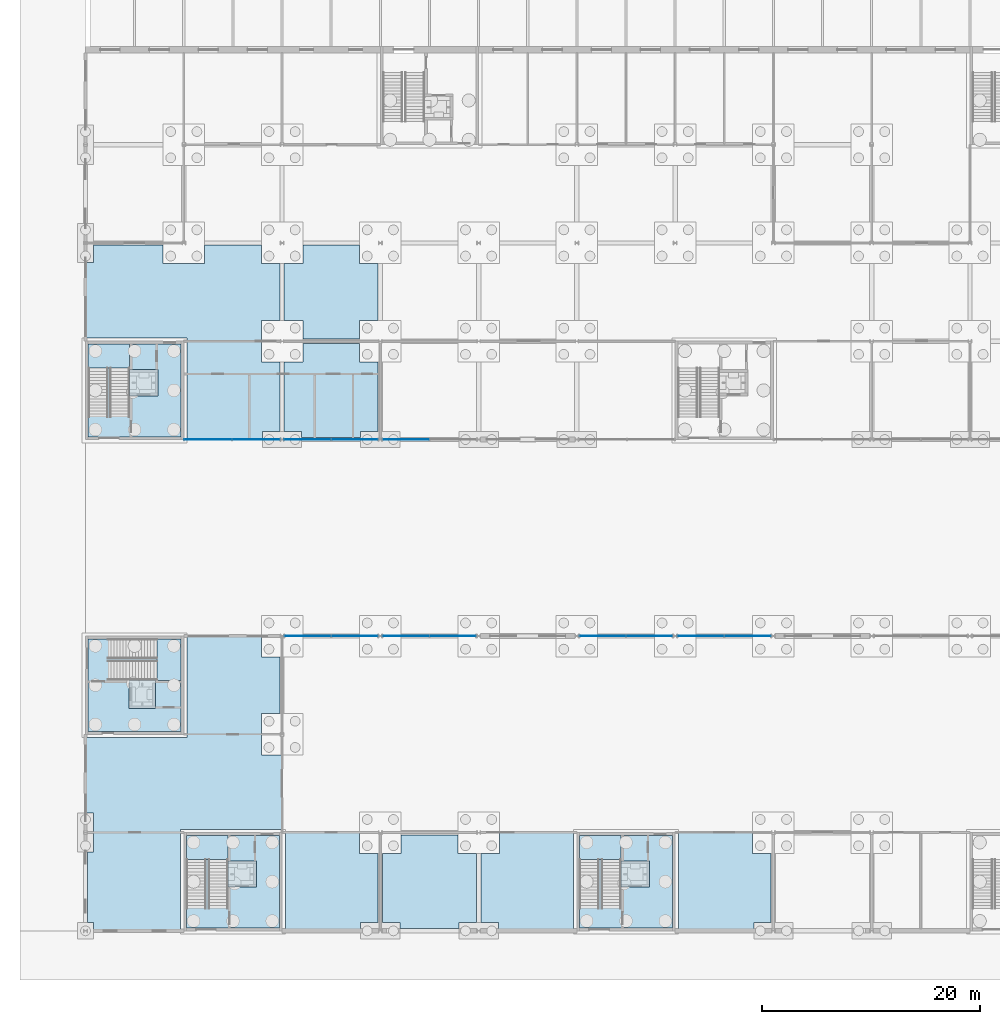
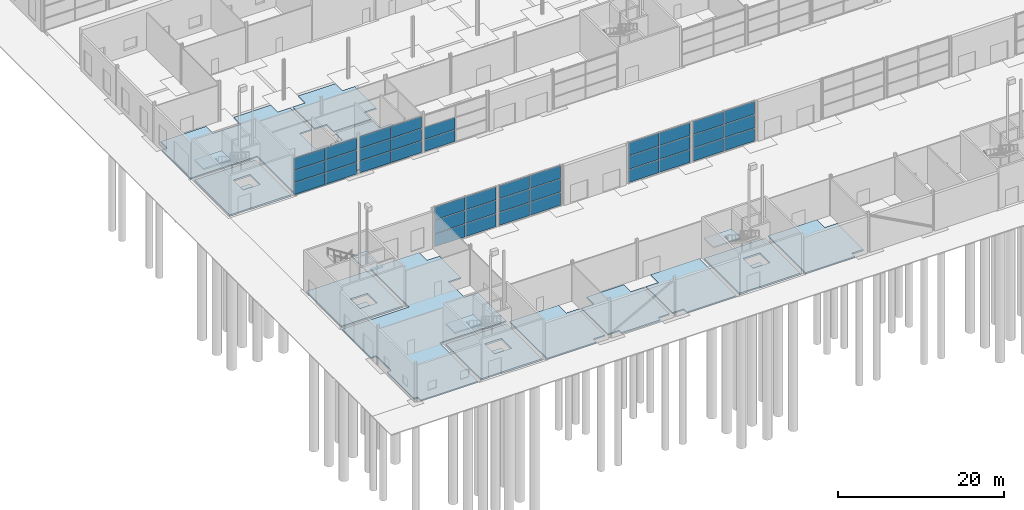
# One storey, part 53 of 97: 38 plates, 20 slabs, 11 elements without a shape of their own.
"""IFC4 building model written with IfcOpenShell, lengths in metres."""

from ifc_helpers import new_model, si_unit, direction, frame, origin, origin_2d, place, context, subcontext, project, spatial, polyline, rectangle, outline, extrude, material, layer, layer_set, type_object, element, aggregate, save


model = new_model("IFC4")

# Units and contexts
model_context = context("Model", 3, precision=1e-05, world=origin(), true_north=direction((0.0, 1.0)))
body_context = subcontext(model_context, "Body", "Model", "MODEL_VIEW")
ifc_project = project(units=[si_unit("LENGTHUNIT", "METRE"), si_unit("AREAUNIT", "SQUARE_METRE"), si_unit("VOLUMEUNIT", "CUBIC_METRE"), si_unit("PLANEANGLEUNIT", "RADIAN"), si_unit("MASSUNIT", "GRAM", prefix="KILO")], contexts=[model_context])

# Site, building, storey
site_placement = place(None, origin())
site = spatial("IfcSite", under=ifc_project, at=site_placement, CompositionType="ELEMENT")
building_placement = place(site_placement, origin())
building = spatial("IfcBuilding", under=site, at=building_placement, Name="Corbel Yard City Hall", CompositionType="ELEMENT")
storey_placement = place(building_placement, origin())
storey = spatial("IfcBuildingStorey", under=building, at=storey_placement, Name="L00", CompositionType="ELEMENT", Elevation=0.0)

# Slabs
ifc_material_1 = material(Name="Concrete N40 (40 MPa)", Category="concrete")
ifc_layer_1 = layer(ifc_material_1, 0.25)
ifc_layer_set_1 = layer_set([ifc_layer_1], Name="Concrete N40 (40 MPa)")
slab_type_1 = type_object("IfcSlabType", Name="CF1", PredefinedType="FLOOR", material=ifc_layer_set_1)
slab_1_placement = place(storey_placement, frame((0.0, 0.0, -0.25)))
element("IfcSlab", 1, at=slab_1_placement, inside=storey, type_object=slab_type_1, Name="Core floor slab", PredefinedType="FLOOR", context=body_context, shape_type="SweptSolid", body=[
    extrude(outline(polyline([(9.25, 0.25), (17.75, 0.25), (17.75, 8.75), (9.25, 8.75), (9.25, 0.25)]), holes=[polyline([(15.64990234375, 6.39990234375), (13.300048828125, 6.39990234375), (13.300048828125, 4.0), (15.64990234375, 4.0), (15.64990234375, 6.39990234375)])]), origin(), (0.0, 0.0, 1.0), 0.25),
])
slab_2_placement = place(storey_placement, frame((0.0, 0.0, -0.25)))
element("IfcSlab", 2, at=slab_2_placement, inside=storey, type_object=slab_type_1, Name="Core floor slab", PredefinedType="FLOOR", context=body_context, shape_type="SweptSolid", body=[
    extrude(outline(polyline([(45.25, 0.25), (53.75, 0.25), (53.75, 8.75), (45.25, 8.75), (45.25, 0.25)]), holes=[polyline([(51.64990234375, 6.39990234375), (49.300048828125, 6.39990234375), (49.300048828125, 4.0), (51.64990234375, 4.0), (51.64990234375, 6.39990234375)])]), origin(), (0.0, 0.0, 1.0), 0.25),
])
slab_3_placement = place(storey_placement, frame((0.0, 0.0, -0.25)))
element("IfcSlab", 3, at=slab_3_placement, inside=storey, type_object=slab_type_1, Name="Core floor slab", PredefinedType="FLOOR", context=body_context, shape_type="SweptSolid", body=[
    extrude(outline(polyline([(0.25, 18.25), (8.75, 18.25), (8.75, 26.75), (0.25, 26.75), (0.25, 18.25)]), holes=[polyline([(6.39990234375, 22.699951171875), (4.0, 22.699951171875), (4.0, 20.35009765625), (6.39990234375, 20.35009765625), (6.39990234375, 22.699951171875)])]), origin(), (0.0, 0.0, 1.0), 0.25),
])
slab_4_placement = place(storey_placement, frame((0.0, 0.0, -0.25)))
element("IfcSlab", 4, at=slab_4_placement, inside=storey, type_object=slab_type_1, Name="Core floor slab", PredefinedType="FLOOR", context=body_context, shape_type="SweptSolid", body=[
    extrude(outline(polyline([(0.25, 45.25), (8.75, 45.25), (8.75, 53.75), (0.25, 53.75), (0.25, 45.25)]), holes=[polyline([(6.64990234375, 51.39990234375), (4.300048828125, 51.39990234375), (4.300048828125, 49.0), (6.64990234375, 49.0), (6.64990234375, 51.39990234375)])]), origin(), (0.0, 0.0, 1.0), 0.25),
])
ifc_layer_2 = layer(ifc_material_1, 0.300048828125)
ifc_layer_set_2 = layer_set([ifc_layer_2], Name="Concrete N40 (40 MPa)")
slab_type_2 = type_object("IfcSlabType", Name="CF2", PredefinedType="BASESLAB", material=ifc_layer_set_2)
slab_5_placement = place(storey_placement, frame((0.0, 0.0, -1.699951171875)))
element("IfcSlab", 5, at=slab_5_placement, inside=storey, type_object=slab_type_2, Name="Lift LP1 pit slab", PredefinedType="BASESLAB", context=body_context, shape_type="SweptSolid", body=[
    extrude(outline(polyline([(13.050048828125, 4.0), (15.64990234375, 4.0), (15.64990234375, 6.39990234375), (13.050048828125, 6.39990234375), (13.050048828125, 4.0)])), origin(), (0.0, 0.0, 1.0), 0.300048828125),
])
slab_6_placement = place(storey_placement, frame((0.0, 0.0, -1.699951171875)))
element("IfcSlab", 6, at=slab_6_placement, inside=storey, type_object=slab_type_2, Name="Lift LP2 pit slab", PredefinedType="BASESLAB", context=body_context, shape_type="SweptSolid", body=[
    extrude(outline(polyline([(49.050048828125, 4.0), (51.64990234375, 4.0), (51.64990234375, 6.39990234375), (49.050048828125, 6.39990234375), (49.050048828125, 4.0)])), origin(), (0.0, 0.0, 1.0), 0.300048828125),
])
slab_7_placement = place(storey_placement, frame((0.0, 0.0, -1.699951171875)))
element("IfcSlab", 7, at=slab_7_placement, inside=storey, type_object=slab_type_2, Name="Lift LP6 pit slab", PredefinedType="BASESLAB", context=body_context, shape_type="SweptSolid", body=[
    extrude(outline(polyline([(4.0, 20.35009765625), (6.39990234375, 20.35009765625), (6.39990234375, 22.949951171875), (4.0, 22.949951171875), (4.0, 20.35009765625)])), origin(), (0.0, 0.0, 1.0), 0.300048828125),
])
slab_8_placement = place(storey_placement, frame((0.0, 0.0, -1.699951171875)))
element("IfcSlab", 8, at=slab_8_placement, inside=storey, type_object=slab_type_2, Name="Lift LP8 pit slab", PredefinedType="BASESLAB", context=body_context, shape_type="SweptSolid", body=[
    extrude(outline(polyline([(4.050048828125, 49.0), (6.64990234375, 49.0), (6.64990234375, 51.39990234375), (4.050048828125, 51.39990234375), (4.050048828125, 49.0)])), origin(), (0.0, 0.0, 1.0), 0.300048828125),
])
ifc_layer_3 = layer(ifc_material_1, 0.199951171875)
ifc_layer_set_3 = layer_set([ifc_layer_3], Name="Concrete N40 (40 MPa)")
slab_type_3 = type_object("IfcSlabType", Name="Ground slab 200", PredefinedType="BASESLAB", material=ifc_layer_set_3)
slab_9_placement = place(storey_placement, frame((0.0, 0.0, -0.199951171875)))
element("IfcSlab", 9, at=slab_9_placement, inside=storey, type_object=slab_type_3, Name="Ground slab on grade Station Link", PredefinedType="BASESLAB", context=body_context, shape_type="SweptSolid", body=[
    extrude(outline(polyline([(9.300048828125, 27.0), (9.300048828125, 17.699951171875), (0.0, 17.699951171875), (0.0, 10.800048828125), (0.75, 10.800048828125), (0.75, 7.199951171875), (0.199951171875, 7.199951171875), (0.199951171875, 0.75), (0.75, 0.75), (0.75, 0.0), (8.699951171875, 0.0), (8.699951171875, 9.300048828125), (18.0, 9.300048828125), (18.0, 16.10009765625), (16.10009765625, 16.10009765625), (16.10009765625, 19.89990234375), (17.800048828125, 19.89990234375), (17.800048828125, 25.10009765625), (16.10009765625, 25.10009765625), (16.10009765625, 27.0), (9.300048828125, 27.0)])), origin(), (0.0, 0.0, 1.0), 0.199951171875),
])
slab_10_placement = place(storey_placement, frame((0.0, 0.0, -0.199951171875)))
element("IfcSlab", 10, at=slab_10_placement, inside=storey, type_object=slab_type_3, Name="Ground slab on grade Hall ribbon", PredefinedType="BASESLAB", context=body_context, shape_type="SweptSolid", body=[
    extrude(outline(polyline([(25.199951171875, 0.0), (25.199951171875, 0.75), (26.800048828125, 0.75), (26.800048828125, 7.10009765625), (25.10009765625, 7.10009765625), (25.10009765625, 9.0), (18.300048828125, 9.0), (18.300048828125, 0.0), (25.199951171875, 0.0)])), origin(), (0.0, 0.0, 1.0), 0.199951171875),
])
slab_11_placement = place(storey_placement, frame((0.0, 0.0, -0.199951171875)))
element("IfcSlab", 11, at=slab_11_placement, inside=storey, type_object=slab_type_3, Name="Ground slab on grade Hall ribbon", PredefinedType="BASESLAB", context=body_context, shape_type="SweptSolid", body=[
    extrude(outline(polyline([(44.699951171875, 0.0), (44.699951171875, 9.0), (37.89990234375, 9.0), (37.89990234375, 7.10009765625), (36.199951171875, 7.10009765625), (36.199951171875, 0.75), (37.800048828125, 0.75), (37.800048828125, 0.0), (44.699951171875, 0.0)])), origin(), (0.0, 0.0, 1.0), 0.199951171875),
])
slab_12_placement = place(storey_placement, frame((0.0, 0.0, -0.199951171875)))
element("IfcSlab", 12, at=slab_12_placement, inside=storey, type_object=slab_type_3, Name="Ground slab on grade Hall ribbon", PredefinedType="BASESLAB", context=body_context, shape_type="SweptSolid", body=[
    extrude(outline(polyline([(62.800048828125, 0.75), (62.800048828125, 7.10009765625), (61.10009765625, 7.10009765625), (61.10009765625, 9.0), (54.300048828125, 9.0), (54.300048828125, 0.0), (61.199951171875, 0.0), (61.199951171875, 0.75), (62.800048828125, 0.75)])), origin(), (0.0, 0.0, 1.0), 0.199951171875),
])
slab_13_placement = place(storey_placement, frame((0.0, 0.0, -0.199951171875)))
element("IfcSlab", 13, at=slab_13_placement, inside=storey, type_object=slab_type_3, Name="Ground slab on grade Hall ribbon", PredefinedType="BASESLAB", context=body_context, shape_type="SweptSolid", body=[
    extrude(outline(polyline([(34.10009765625, 7.10009765625), (34.10009765625, 8.800048828125), (28.89990234375, 8.800048828125), (28.89990234375, 7.10009765625), (27.199951171875, 7.10009765625), (27.199951171875, 0.75), (28.800048828125, 0.75), (28.800048828125, 0.199951171875), (34.199951171875, 0.199951171875), (34.199951171875, 0.75), (35.800048828125, 0.75), (35.800048828125, 7.10009765625), (34.10009765625, 7.10009765625)])), origin(), (0.0, 0.0, 1.0), 0.199951171875),
])
slab_14_placement = place(storey_placement, frame((0.0, 0.0, -0.199951171875)))
element("IfcSlab", 14, at=slab_14_placement, inside=storey, type_object=slab_type_3, Name="Ground slab on grade Citizens' Service Centre block", PredefinedType="BASESLAB", context=body_context, shape_type="SweptSolid", body=[
    extrude(outline(polyline([(7.10009765625, 61.10009765625), (7.10009765625, 62.800048828125), (0.75, 62.800048828125), (0.75, 61.199951171875), (0.0, 61.199951171875), (0.0, 54.300048828125), (9.300048828125, 54.300048828125), (9.300048828125, 45.0), (16.199951171875, 45.0), (16.199951171875, 45.75), (17.800048828125, 45.75), (17.800048828125, 52.10009765625), (16.10009765625, 52.10009765625), (16.10009765625, 55.89990234375), (17.800048828125, 55.89990234375), (17.800048828125, 61.10009765625), (16.10009765625, 61.10009765625), (16.10009765625, 62.800048828125), (10.89990234375, 62.800048828125), (10.89990234375, 61.10009765625), (7.10009765625, 61.10009765625)])), origin(), (0.0, 0.0, 1.0), 0.199951171875),
])
slab_15_placement = place(storey_placement, frame((0.0, 0.0, -0.199951171875)))
element("IfcSlab", 15, at=slab_15_placement, inside=storey, type_object=slab_type_3, Name="Ground slab on grade Citizens' Service Centre block", PredefinedType="BASESLAB", context=body_context, shape_type="SweptSolid", body=[
    extrude(outline(polyline([(25.199951171875, 45.199951171875), (25.199951171875, 45.75), (26.800048828125, 45.75), (26.800048828125, 52.10009765625), (25.10009765625, 52.10009765625), (25.10009765625, 53.800048828125), (19.89990234375, 53.800048828125), (19.89990234375, 52.10009765625), (18.199951171875, 52.10009765625), (18.199951171875, 45.75), (19.800048828125, 45.75), (19.800048828125, 45.199951171875), (25.199951171875, 45.199951171875)])), origin(), (0.0, 0.0, 1.0), 0.199951171875),
])
slab_16_placement = place(storey_placement, frame((0.0, 0.0, -0.199951171875)))
element("IfcSlab", 16, at=slab_16_placement, inside=storey, type_object=slab_type_3, Name="Ground slab on grade Citizens' Service Centre block", PredefinedType="BASESLAB", context=body_context, shape_type="SweptSolid", body=[
    extrude(outline(polyline([(26.800048828125, 55.89990234375), (26.800048828125, 61.10009765625), (25.10009765625, 61.10009765625), (25.10009765625, 62.800048828125), (19.89990234375, 62.800048828125), (19.89990234375, 61.10009765625), (18.199951171875, 61.10009765625), (18.199951171875, 55.89990234375), (19.89990234375, 55.89990234375), (19.89990234375, 54.199951171875), (25.10009765625, 54.199951171875), (25.10009765625, 55.89990234375), (26.800048828125, 55.89990234375)])), origin(), (0.0, 0.0, 1.0), 0.199951171875),
])

# Stair, slab
stair_type = type_object("IfcStairType", Name="ST2", PredefinedType="HALF_TURN_STAIR", material=ifc_material_1)
stair_1_placement = place(storey_placement, origin())
stair_1 = element("IfcStair", 17, at=stair_1_placement, inside=storey, type_object=stair_type, Name="Exit stair L00", PredefinedType="HALF_TURN_STAIR")
ifc_layer_4 = layer(ifc_material_1, 0.199951171875)
ifc_layer_set_4 = layer_set([ifc_layer_4], Name="Concrete N40 (40 MPa)")
slab_type_4 = type_object("IfcSlabType", Name="LN1", PredefinedType="LANDING", material=ifc_layer_set_4)
slab_17_placement = place(storey_placement, frame((0.0, 0.0, 2.800048828125)))
slab_17 = element("IfcSlab", 18, at=slab_17_placement, type_object=slab_type_4, Name="PS1 landing 1", PredefinedType="LANDING", context=body_context, shape_type="SweptSolid", body=[
    extrude(outline(polyline([(9.25, 6.530029296875), (13.050048828125, 6.530029296875), (13.050048828125, 8.75), (9.25, 8.75), (9.25, 6.530029296875)])), origin(), (0.0, 0.0, 1.0), 0.199951171875),
])
aggregate(stair_1, [slab_17])

stair_2_placement = place(storey_placement, origin())
stair_2 = element("IfcStair", 19, at=stair_2_placement, inside=storey, type_object=stair_type, Name="Exit stair L00", PredefinedType="HALF_TURN_STAIR")
slab_18_placement = place(storey_placement, frame((0.0, 0.0, 2.800048828125)))
slab_18 = element("IfcSlab", 20, at=slab_18_placement, type_object=slab_type_4, Name="PS2 landing 1", PredefinedType="LANDING", context=body_context, shape_type="SweptSolid", body=[
    extrude(outline(polyline([(45.25, 6.530029296875), (49.050048828125, 6.530029296875), (49.050048828125, 8.75), (45.25, 8.75), (45.25, 6.530029296875)])), origin(), (0.0, 0.0, 1.0), 0.199951171875),
])
aggregate(stair_2, [slab_18])

stair_3_placement = place(storey_placement, origin())
stair_3 = element("IfcStair", 21, at=stair_3_placement, inside=storey, type_object=stair_type, Name="Exit stair L00", PredefinedType="HALF_TURN_STAIR")
slab_19_placement = place(storey_placement, frame((0.0, 0.0, 2.800048828125)))
slab_19 = element("IfcSlab", 22, at=slab_19_placement, type_object=slab_type_4, Name="PS6 landing 1", PredefinedType="LANDING", context=body_context, shape_type="SweptSolid", body=[
    extrude(outline(polyline([(6.530029296875, 22.949951171875), (8.75, 22.949951171875), (8.75, 26.75), (6.530029296875, 26.75), (6.530029296875, 22.949951171875)])), origin(), (0.0, 0.0, 1.0), 0.199951171875),
])
aggregate(stair_3, [slab_19])

stair_4_placement = place(storey_placement, origin())
stair_4 = element("IfcStair", 23, at=stair_4_placement, inside=storey, type_object=stair_type, Name="Exit stair L00", PredefinedType="HALF_TURN_STAIR")
slab_20_placement = place(storey_placement, frame((0.0, 0.0, 2.800048828125)))
slab_20 = element("IfcSlab", 24, at=slab_20_placement, type_object=slab_type_4, Name="PS8 landing 1", PredefinedType="LANDING", context=body_context, shape_type="SweptSolid", body=[
    extrude(outline(polyline([(0.25, 51.530029296875), (4.050048828125, 51.530029296875), (4.050048828125, 53.75), (0.25, 53.75), (0.25, 51.530029296875)])), origin(), (0.0, 0.0, 1.0), 0.199951171875),
])
aggregate(stair_4, [slab_20])

# Curtain wall, plates
ifc_material_2 = material(Name="Aluminium extrusion", Category="aluminium")
ifc_layer_5 = layer(ifc_material_2, 0.25)
ifc_layer_set_5 = layer_set([ifc_layer_5], Name="Aluminium extrusion")
curtain_wall_type_1 = type_object("IfcCurtainWallType", Name="CW4", PredefinedType="USERDEFINED", material=ifc_layer_set_5)
curtain_wall_1_placement = place(storey_placement, origin())
curtain_wall_1 = element("IfcCurtainWall", 25, at=curtain_wall_1_placement, inside=storey, type_object=curtain_wall_type_1, Name="Curtain wall CW4 L00", ObjectType="CURTAIN WALL", PredefinedType="USERDEFINED")
ifc_material_3 = material(Name="Laminated toughened storefront glass", Category="glass")
ifc_layer_6 = layer(ifc_material_3, 0.0400390625)
ifc_layer_set_6 = layer_set([ifc_layer_6], Name="Laminated toughened storefront glass")
plate_type_1 = type_object("IfcPlateType", Name="PN5", PredefinedType="CURTAIN_PANEL", material=ifc_layer_set_6)
plate_1_placement = place(storey_placement, frame((11.226806640625, 45.0, 0.06494140625), z_axis=(0.0, 0.0, 1.0), x_axis=(1.0, 0.0, 0.0)))
plate_1 = element("IfcPlate", 26, at=plate_1_placement, type_object=plate_type_1, Name="CW4 panel 1.1", PredefinedType="CURTAIN_PANEL", context=body_context, shape_type="SweptSolid", body=[
    extrude(rectangle(XDim=4.32373046875, YDim=0.0400390625, at=origin_2d()), origin(), (0.0, 0.0, 1.0), 1.71728515625),
])
plate_2_placement = place(storey_placement, frame((11.226806640625, 45.0, 1.84716796875), z_axis=(0.0, 0.0, 1.0), x_axis=(1.0, 0.0, 0.0)))
plate_2 = element("IfcPlate", 27, at=plate_2_placement, type_object=plate_type_1, Name="CW4 panel 1.2", PredefinedType="CURTAIN_PANEL", context=body_context, shape_type="SweptSolid", body=[
    extrude(rectangle(XDim=4.32373046875, YDim=0.0400390625, at=origin_2d()), origin(), (0.0, 0.0, 1.0), 1.749755859375),
])
plate_3_placement = place(storey_placement, frame((11.226806640625, 45.0, 3.661865234375), z_axis=(0.0, 0.0, 1.0), x_axis=(1.0, 0.0, 0.0)))
plate_3 = element("IfcPlate", 28, at=plate_3_placement, type_object=plate_type_1, Name="CW4 panel 1.3", PredefinedType="CURTAIN_PANEL", context=body_context, shape_type="SweptSolid", body=[
    extrude(rectangle(XDim=4.32373046875, YDim=0.0400390625, at=origin_2d()), origin(), (0.0, 0.0, 1.0), 1.71728515625),
])
plate_4_placement = place(storey_placement, frame((15.61572265625, 45.0, 0.06494140625), z_axis=(0.0, 0.0, 1.0), x_axis=(1.0, 0.0, 0.0)))
plate_4 = element("IfcPlate", 29, at=plate_4_placement, type_object=plate_type_1, Name="CW4 panel 2.1", PredefinedType="CURTAIN_PANEL", context=body_context, shape_type="SweptSolid", body=[
    extrude(rectangle(XDim=4.32373046875, YDim=0.0400390625, at=origin_2d()), origin(), (0.0, 0.0, 1.0), 1.71728515625),
])
plate_5_placement = place(storey_placement, frame((15.61572265625, 45.0, 1.84716796875), z_axis=(0.0, 0.0, 1.0), x_axis=(1.0, 0.0, 0.0)))
plate_5 = element("IfcPlate", 30, at=plate_5_placement, type_object=plate_type_1, Name="CW4 panel 2.2", PredefinedType="CURTAIN_PANEL", context=body_context, shape_type="SweptSolid", body=[
    extrude(rectangle(XDim=4.32373046875, YDim=0.0400390625, at=origin_2d()), origin(), (0.0, 0.0, 1.0), 1.749755859375),
])
plate_6_placement = place(storey_placement, frame((15.61572265625, 45.0, 3.661865234375), z_axis=(0.0, 0.0, 1.0), x_axis=(1.0, 0.0, 0.0)))
plate_6 = element("IfcPlate", 31, at=plate_6_placement, type_object=plate_type_1, Name="CW4 panel 2.3", PredefinedType="CURTAIN_PANEL", context=body_context, shape_type="SweptSolid", body=[
    extrude(rectangle(XDim=4.32373046875, YDim=0.0400390625, at=origin_2d()), origin(), (0.0, 0.0, 1.0), 1.71728515625),
])
aggregate(curtain_wall_1, [plate_1, plate_2, plate_3, plate_4, plate_5, plate_6])

curtain_wall_2_placement = place(storey_placement, origin())
curtain_wall_2 = element("IfcCurtainWall", 32, at=curtain_wall_2_placement, inside=storey, type_object=curtain_wall_type_1, Name="Curtain wall CW4 L00", ObjectType="CURTAIN WALL", PredefinedType="USERDEFINED")
plate_7_placement = place(storey_placement, frame((20.344970703125, 45.0, 0.06494140625), z_axis=(0.0, 0.0, 1.0), x_axis=(1.0, 0.0, 0.0)))
plate_7 = element("IfcPlate", 33, at=plate_7_placement, type_object=plate_type_1, Name="CW4 panel 1.1", PredefinedType="CURTAIN_PANEL", context=body_context, shape_type="SweptSolid", body=[
    extrude(rectangle(XDim=4.2451171875, YDim=0.0400390625, at=origin_2d()), origin(), (0.0, 0.0, 1.0), 1.71728515625),
])
plate_8_placement = place(storey_placement, frame((20.344970703125, 45.0, 1.84716796875), z_axis=(0.0, 0.0, 1.0), x_axis=(1.0, 0.0, 0.0)))
plate_8 = element("IfcPlate", 34, at=plate_8_placement, type_object=plate_type_1, Name="CW4 panel 1.2", PredefinedType="CURTAIN_PANEL", context=body_context, shape_type="SweptSolid", body=[
    extrude(rectangle(XDim=4.2451171875, YDim=0.0400390625, at=origin_2d()), origin(), (0.0, 0.0, 1.0), 1.749755859375),
])
plate_9_placement = place(storey_placement, frame((20.344970703125, 45.0, 3.661865234375), z_axis=(0.0, 0.0, 1.0), x_axis=(1.0, 0.0, 0.0)))
plate_9 = element("IfcPlate", 35, at=plate_9_placement, type_object=plate_type_1, Name="CW4 panel 1.3", PredefinedType="CURTAIN_PANEL", context=body_context, shape_type="SweptSolid", body=[
    extrude(rectangle(XDim=4.2451171875, YDim=0.0400390625, at=origin_2d()), origin(), (0.0, 0.0, 1.0), 1.71728515625),
])
plate_10_placement = place(storey_placement, frame((24.655029296875, 45.0, 0.06494140625), z_axis=(0.0, 0.0, 1.0), x_axis=(1.0, 0.0, 0.0)))
plate_10 = element("IfcPlate", 36, at=plate_10_placement, type_object=plate_type_1, Name="CW4 panel 2.1", PredefinedType="CURTAIN_PANEL", context=body_context, shape_type="SweptSolid", body=[
    extrude(rectangle(XDim=4.2451171875, YDim=0.0400390625, at=origin_2d()), origin(), (0.0, 0.0, 1.0), 1.71728515625),
])
plate_11_placement = place(storey_placement, frame((24.655029296875, 45.0, 1.84716796875), z_axis=(0.0, 0.0, 1.0), x_axis=(1.0, 0.0, 0.0)))
plate_11 = element("IfcPlate", 37, at=plate_11_placement, type_object=plate_type_1, Name="CW4 panel 2.2", PredefinedType="CURTAIN_PANEL", context=body_context, shape_type="SweptSolid", body=[
    extrude(rectangle(XDim=4.2451171875, YDim=0.0400390625, at=origin_2d()), origin(), (0.0, 0.0, 1.0), 1.749755859375),
])
plate_12_placement = place(storey_placement, frame((24.655029296875, 45.0, 3.661865234375), z_axis=(0.0, 0.0, 1.0), x_axis=(1.0, 0.0, 0.0)))
plate_12 = element("IfcPlate", 38, at=plate_12_placement, type_object=plate_type_1, Name="CW4 panel 2.3", PredefinedType="CURTAIN_PANEL", context=body_context, shape_type="SweptSolid", body=[
    extrude(rectangle(XDim=4.2451171875, YDim=0.0400390625, at=origin_2d()), origin(), (0.0, 0.0, 1.0), 1.71728515625),
])
aggregate(curtain_wall_2, [plate_7, plate_8, plate_9, plate_10, plate_11, plate_12])

curtain_wall_3_placement = place(storey_placement, origin())
curtain_wall_3 = element("IfcCurtainWall", 39, at=curtain_wall_3_placement, inside=storey, type_object=curtain_wall_type_1, Name="Curtain wall CW4 L00", ObjectType="CURTAIN WALL", PredefinedType="USERDEFINED")
plate_13_placement = place(storey_placement, frame((29.344970703125, 45.0, 0.06494140625), z_axis=(0.0, 0.0, 1.0), x_axis=(1.0, 0.0, 0.0)))
plate_13 = element("IfcPlate", 40, at=plate_13_placement, type_object=plate_type_1, Name="CW4 panel 1.1", PredefinedType="CURTAIN_PANEL", context=body_context, shape_type="SweptSolid", body=[
    extrude(rectangle(XDim=4.2451171875, YDim=0.0400390625, at=origin_2d()), origin(), (0.0, 0.0, 1.0), 1.71728515625),
])
plate_14_placement = place(storey_placement, frame((29.344970703125, 45.0, 1.84716796875), z_axis=(0.0, 0.0, 1.0), x_axis=(1.0, 0.0, 0.0)))
plate_14 = element("IfcPlate", 41, at=plate_14_placement, type_object=plate_type_1, Name="CW4 panel 1.2", PredefinedType="CURTAIN_PANEL", context=body_context, shape_type="SweptSolid", body=[
    extrude(rectangle(XDim=4.2451171875, YDim=0.0400390625, at=origin_2d()), origin(), (0.0, 0.0, 1.0), 1.749755859375),
])
aggregate(curtain_wall_3, [plate_13, plate_14])

ifc_layer_7 = layer(ifc_material_2, 0.300048828125)
ifc_layer_set_7 = layer_set([ifc_layer_7], Name="Aluminium extrusion")
curtain_wall_type_2 = type_object("IfcCurtainWallType", Name="CW7", PredefinedType="USERDEFINED", material=ifc_layer_set_7)
curtain_wall_4_placement = place(storey_placement, origin())
curtain_wall_4 = element("IfcCurtainWall", 42, at=curtain_wall_4_placement, inside=storey, type_object=curtain_wall_type_2, Name="Curtain wall CW7 L00", ObjectType="CURTAIN WALL", PredefinedType="USERDEFINED")
ifc_material_4 = material(Name="Laminated toughened glass, large format", Category="glass")
ifc_layer_8 = layer(ifc_material_4, 0.048095703125)
ifc_layer_set_8 = layer_set([ifc_layer_8], Name="Laminated toughened glass, large format")
plate_type_2 = type_object("IfcPlateType", Name="PN8", PredefinedType="CURTAIN_PANEL", material=ifc_layer_set_8)
plate_15_placement = place(storey_placement, frame((20.351806640625, 27.0, 0.080078125), z_axis=(0.0, 0.0, 1.0), x_axis=(1.0, 0.0, 0.0)))
plate_15 = element("IfcPlate", 43, at=plate_15_placement, type_object=plate_type_2, Name="CW7 panel 1.1", PredefinedType="CURTAIN_PANEL", context=body_context, shape_type="SweptSolid", body=[
    extrude(rectangle(XDim=4.216552734375, YDim=0.048095703125, at=origin_2d()), origin(), (0.0, 0.0, 1.0), 1.8798828125),
])
plate_16_placement = place(storey_placement, frame((20.351806640625, 27.0, 2.0400390625), z_axis=(0.0, 0.0, 1.0), x_axis=(1.0, 0.0, 0.0)))
plate_16 = element("IfcPlate", 44, at=plate_16_placement, type_object=plate_type_2, Name="CW7 panel 1.2", PredefinedType="CURTAIN_PANEL", context=body_context, shape_type="SweptSolid", body=[
    extrude(rectangle(XDim=4.216552734375, YDim=0.048095703125, at=origin_2d()), origin(), (0.0, 0.0, 1.0), 1.919921875),
])
plate_17_placement = place(storey_placement, frame((20.351806640625, 27.0, 4.0400390625), z_axis=(0.0, 0.0, 1.0), x_axis=(1.0, 0.0, 0.0)))
plate_17 = element("IfcPlate", 45, at=plate_17_placement, type_object=plate_type_2, Name="CW7 panel 1.3", PredefinedType="CURTAIN_PANEL", context=body_context, shape_type="SweptSolid", body=[
    extrude(rectangle(XDim=4.216552734375, YDim=0.048095703125, at=origin_2d()), origin(), (0.0, 0.0, 1.0), 1.8798828125),
])
plate_18_placement = place(storey_placement, frame((24.648193359375, 27.0, 0.080078125), z_axis=(0.0, 0.0, 1.0), x_axis=(1.0, 0.0, 0.0)))
plate_18 = element("IfcPlate", 46, at=plate_18_placement, type_object=plate_type_2, Name="CW7 panel 2.1", PredefinedType="CURTAIN_PANEL", context=body_context, shape_type="SweptSolid", body=[
    extrude(rectangle(XDim=4.216552734375, YDim=0.048095703125, at=origin_2d()), origin(), (0.0, 0.0, 1.0), 1.8798828125),
])
plate_19_placement = place(storey_placement, frame((24.648193359375, 27.0, 2.0400390625), z_axis=(0.0, 0.0, 1.0), x_axis=(1.0, 0.0, 0.0)))
plate_19 = element("IfcPlate", 47, at=plate_19_placement, type_object=plate_type_2, Name="CW7 panel 2.2", PredefinedType="CURTAIN_PANEL", context=body_context, shape_type="SweptSolid", body=[
    extrude(rectangle(XDim=4.216552734375, YDim=0.048095703125, at=origin_2d()), origin(), (0.0, 0.0, 1.0), 1.919921875),
])
plate_20_placement = place(storey_placement, frame((24.648193359375, 27.0, 4.0400390625), z_axis=(0.0, 0.0, 1.0), x_axis=(1.0, 0.0, 0.0)))
plate_20 = element("IfcPlate", 48, at=plate_20_placement, type_object=plate_type_2, Name="CW7 panel 2.3", PredefinedType="CURTAIN_PANEL", context=body_context, shape_type="SweptSolid", body=[
    extrude(rectangle(XDim=4.216552734375, YDim=0.048095703125, at=origin_2d()), origin(), (0.0, 0.0, 1.0), 1.8798828125),
])
aggregate(curtain_wall_4, [plate_15, plate_16, plate_17, plate_18, plate_19, plate_20])

curtain_wall_5_placement = place(storey_placement, origin())
curtain_wall_5 = element("IfcCurtainWall", 49, at=curtain_wall_5_placement, inside=storey, type_object=curtain_wall_type_2, Name="Curtain wall CW7 L00", ObjectType="CURTAIN WALL", PredefinedType="USERDEFINED")
plate_21_placement = place(storey_placement, frame((29.351806640625, 27.0, 0.080078125), z_axis=(0.0, 0.0, 1.0), x_axis=(1.0, 0.0, 0.0)))
plate_21 = element("IfcPlate", 50, at=plate_21_placement, type_object=plate_type_2, Name="CW7 panel 1.1", PredefinedType="CURTAIN_PANEL", context=body_context, shape_type="SweptSolid", body=[
    extrude(rectangle(XDim=4.216552734375, YDim=0.048095703125, at=origin_2d()), origin(), (0.0, 0.0, 1.0), 1.8798828125),
])
plate_22_placement = place(storey_placement, frame((29.351806640625, 27.0, 2.0400390625), z_axis=(0.0, 0.0, 1.0), x_axis=(1.0, 0.0, 0.0)))
plate_22 = element("IfcPlate", 51, at=plate_22_placement, type_object=plate_type_2, Name="CW7 panel 1.2", PredefinedType="CURTAIN_PANEL", context=body_context, shape_type="SweptSolid", body=[
    extrude(rectangle(XDim=4.216552734375, YDim=0.048095703125, at=origin_2d()), origin(), (0.0, 0.0, 1.0), 1.919921875),
])
plate_23_placement = place(storey_placement, frame((29.351806640625, 27.0, 4.0400390625), z_axis=(0.0, 0.0, 1.0), x_axis=(1.0, 0.0, 0.0)))
plate_23 = element("IfcPlate", 52, at=plate_23_placement, type_object=plate_type_2, Name="CW7 panel 1.3", PredefinedType="CURTAIN_PANEL", context=body_context, shape_type="SweptSolid", body=[
    extrude(rectangle(XDim=4.216552734375, YDim=0.048095703125, at=origin_2d()), origin(), (0.0, 0.0, 1.0), 1.8798828125),
])
plate_24_placement = place(storey_placement, frame((33.648193359375, 27.0, 0.080078125), z_axis=(0.0, 0.0, 1.0), x_axis=(1.0, 0.0, 0.0)))
plate_24 = element("IfcPlate", 53, at=plate_24_placement, type_object=plate_type_2, Name="CW7 panel 2.1", PredefinedType="CURTAIN_PANEL", context=body_context, shape_type="SweptSolid", body=[
    extrude(rectangle(XDim=4.216552734375, YDim=0.048095703125, at=origin_2d()), origin(), (0.0, 0.0, 1.0), 1.8798828125),
])
plate_25_placement = place(storey_placement, frame((33.648193359375, 27.0, 2.0400390625), z_axis=(0.0, 0.0, 1.0), x_axis=(1.0, 0.0, 0.0)))
plate_25 = element("IfcPlate", 54, at=plate_25_placement, type_object=plate_type_2, Name="CW7 panel 2.2", PredefinedType="CURTAIN_PANEL", context=body_context, shape_type="SweptSolid", body=[
    extrude(rectangle(XDim=4.216552734375, YDim=0.048095703125, at=origin_2d()), origin(), (0.0, 0.0, 1.0), 1.919921875),
])
plate_26_placement = place(storey_placement, frame((33.648193359375, 27.0, 4.0400390625), z_axis=(0.0, 0.0, 1.0), x_axis=(1.0, 0.0, 0.0)))
plate_26 = element("IfcPlate", 55, at=plate_26_placement, type_object=plate_type_2, Name="CW7 panel 2.3", PredefinedType="CURTAIN_PANEL", context=body_context, shape_type="SweptSolid", body=[
    extrude(rectangle(XDim=4.216552734375, YDim=0.048095703125, at=origin_2d()), origin(), (0.0, 0.0, 1.0), 1.8798828125),
])
aggregate(curtain_wall_5, [plate_21, plate_22, plate_23, plate_24, plate_25, plate_26])

curtain_wall_6_placement = place(storey_placement, origin())
curtain_wall_6 = element("IfcCurtainWall", 56, at=curtain_wall_6_placement, inside=storey, type_object=curtain_wall_type_2, Name="Curtain wall CW7 L00", ObjectType="CURTAIN WALL", PredefinedType="USERDEFINED")
plate_27_placement = place(storey_placement, frame((47.351806640625, 27.0, 0.080078125), z_axis=(0.0, 0.0, 1.0), x_axis=(1.0, 0.0, 0.0)))
plate_27 = element("IfcPlate", 57, at=plate_27_placement, type_object=plate_type_2, Name="CW7 panel 1.1", PredefinedType="CURTAIN_PANEL", context=body_context, shape_type="SweptSolid", body=[
    extrude(rectangle(XDim=4.216552734375, YDim=0.048095703125, at=origin_2d()), origin(), (0.0, 0.0, 1.0), 1.8798828125),
])
plate_28_placement = place(storey_placement, frame((47.351806640625, 27.0, 2.0400390625), z_axis=(0.0, 0.0, 1.0), x_axis=(1.0, 0.0, 0.0)))
plate_28 = element("IfcPlate", 58, at=plate_28_placement, type_object=plate_type_2, Name="CW7 panel 1.2", PredefinedType="CURTAIN_PANEL", context=body_context, shape_type="SweptSolid", body=[
    extrude(rectangle(XDim=4.216552734375, YDim=0.048095703125, at=origin_2d()), origin(), (0.0, 0.0, 1.0), 1.919921875),
])
plate_29_placement = place(storey_placement, frame((47.351806640625, 27.0, 4.0400390625), z_axis=(0.0, 0.0, 1.0), x_axis=(1.0, 0.0, 0.0)))
plate_29 = element("IfcPlate", 59, at=plate_29_placement, type_object=plate_type_2, Name="CW7 panel 1.3", PredefinedType="CURTAIN_PANEL", context=body_context, shape_type="SweptSolid", body=[
    extrude(rectangle(XDim=4.216552734375, YDim=0.048095703125, at=origin_2d()), origin(), (0.0, 0.0, 1.0), 1.8798828125),
])
plate_30_placement = place(storey_placement, frame((51.648193359375, 27.0, 0.080078125), z_axis=(0.0, 0.0, 1.0), x_axis=(1.0, 0.0, 0.0)))
plate_30 = element("IfcPlate", 60, at=plate_30_placement, type_object=plate_type_2, Name="CW7 panel 2.1", PredefinedType="CURTAIN_PANEL", context=body_context, shape_type="SweptSolid", body=[
    extrude(rectangle(XDim=4.216552734375, YDim=0.048095703125, at=origin_2d()), origin(), (0.0, 0.0, 1.0), 1.8798828125),
])
plate_31_placement = place(storey_placement, frame((51.648193359375, 27.0, 2.0400390625), z_axis=(0.0, 0.0, 1.0), x_axis=(1.0, 0.0, 0.0)))
plate_31 = element("IfcPlate", 61, at=plate_31_placement, type_object=plate_type_2, Name="CW7 panel 2.2", PredefinedType="CURTAIN_PANEL", context=body_context, shape_type="SweptSolid", body=[
    extrude(rectangle(XDim=4.216552734375, YDim=0.048095703125, at=origin_2d()), origin(), (0.0, 0.0, 1.0), 1.919921875),
])
plate_32_placement = place(storey_placement, frame((51.648193359375, 27.0, 4.0400390625), z_axis=(0.0, 0.0, 1.0), x_axis=(1.0, 0.0, 0.0)))
plate_32 = element("IfcPlate", 62, at=plate_32_placement, type_object=plate_type_2, Name="CW7 panel 2.3", PredefinedType="CURTAIN_PANEL", context=body_context, shape_type="SweptSolid", body=[
    extrude(rectangle(XDim=4.216552734375, YDim=0.048095703125, at=origin_2d()), origin(), (0.0, 0.0, 1.0), 1.8798828125),
])
aggregate(curtain_wall_6, [plate_27, plate_28, plate_29, plate_30, plate_31, plate_32])

curtain_wall_7_placement = place(storey_placement, origin())
curtain_wall_7 = element("IfcCurtainWall", 63, at=curtain_wall_7_placement, inside=storey, type_object=curtain_wall_type_2, Name="Curtain wall CW7 L00", ObjectType="CURTAIN WALL", PredefinedType="USERDEFINED")
plate_33_placement = place(storey_placement, frame((56.351806640625, 27.0, 0.080078125), z_axis=(0.0, 0.0, 1.0), x_axis=(1.0, 0.0, 0.0)))
plate_33 = element("IfcPlate", 64, at=plate_33_placement, type_object=plate_type_2, Name="CW7 panel 1.1", PredefinedType="CURTAIN_PANEL", context=body_context, shape_type="SweptSolid", body=[
    extrude(rectangle(XDim=4.216552734375, YDim=0.048095703125, at=origin_2d()), origin(), (0.0, 0.0, 1.0), 1.8798828125),
])
plate_34_placement = place(storey_placement, frame((56.351806640625, 27.0, 2.0400390625), z_axis=(0.0, 0.0, 1.0), x_axis=(1.0, 0.0, 0.0)))
plate_34 = element("IfcPlate", 65, at=plate_34_placement, type_object=plate_type_2, Name="CW7 panel 1.2", PredefinedType="CURTAIN_PANEL", context=body_context, shape_type="SweptSolid", body=[
    extrude(rectangle(XDim=4.216552734375, YDim=0.048095703125, at=origin_2d()), origin(), (0.0, 0.0, 1.0), 1.919921875),
])
plate_35_placement = place(storey_placement, frame((56.351806640625, 27.0, 4.0400390625), z_axis=(0.0, 0.0, 1.0), x_axis=(1.0, 0.0, 0.0)))
plate_35 = element("IfcPlate", 66, at=plate_35_placement, type_object=plate_type_2, Name="CW7 panel 1.3", PredefinedType="CURTAIN_PANEL", context=body_context, shape_type="SweptSolid", body=[
    extrude(rectangle(XDim=4.216552734375, YDim=0.048095703125, at=origin_2d()), origin(), (0.0, 0.0, 1.0), 1.8798828125),
])
plate_36_placement = place(storey_placement, frame((60.648193359375, 27.0, 0.080078125), z_axis=(0.0, 0.0, 1.0), x_axis=(1.0, 0.0, 0.0)))
plate_36 = element("IfcPlate", 67, at=plate_36_placement, type_object=plate_type_2, Name="CW7 panel 2.1", PredefinedType="CURTAIN_PANEL", context=body_context, shape_type="SweptSolid", body=[
    extrude(rectangle(XDim=4.216552734375, YDim=0.048095703125, at=origin_2d()), origin(), (0.0, 0.0, 1.0), 1.8798828125),
])
plate_37_placement = place(storey_placement, frame((60.648193359375, 27.0, 2.0400390625), z_axis=(0.0, 0.0, 1.0), x_axis=(1.0, 0.0, 0.0)))
plate_37 = element("IfcPlate", 68, at=plate_37_placement, type_object=plate_type_2, Name="CW7 panel 2.2", PredefinedType="CURTAIN_PANEL", context=body_context, shape_type="SweptSolid", body=[
    extrude(rectangle(XDim=4.216552734375, YDim=0.048095703125, at=origin_2d()), origin(), (0.0, 0.0, 1.0), 1.919921875),
])
plate_38_placement = place(storey_placement, frame((60.648193359375, 27.0, 4.0400390625), z_axis=(0.0, 0.0, 1.0), x_axis=(1.0, 0.0, 0.0)))
plate_38 = element("IfcPlate", 69, at=plate_38_placement, type_object=plate_type_2, Name="CW7 panel 2.3", PredefinedType="CURTAIN_PANEL", context=body_context, shape_type="SweptSolid", body=[
    extrude(rectangle(XDim=4.216552734375, YDim=0.048095703125, at=origin_2d()), origin(), (0.0, 0.0, 1.0), 1.8798828125),
])
aggregate(curtain_wall_7, [plate_33, plate_34, plate_35, plate_36, plate_37, plate_38])

save(model, "model.ifc")
